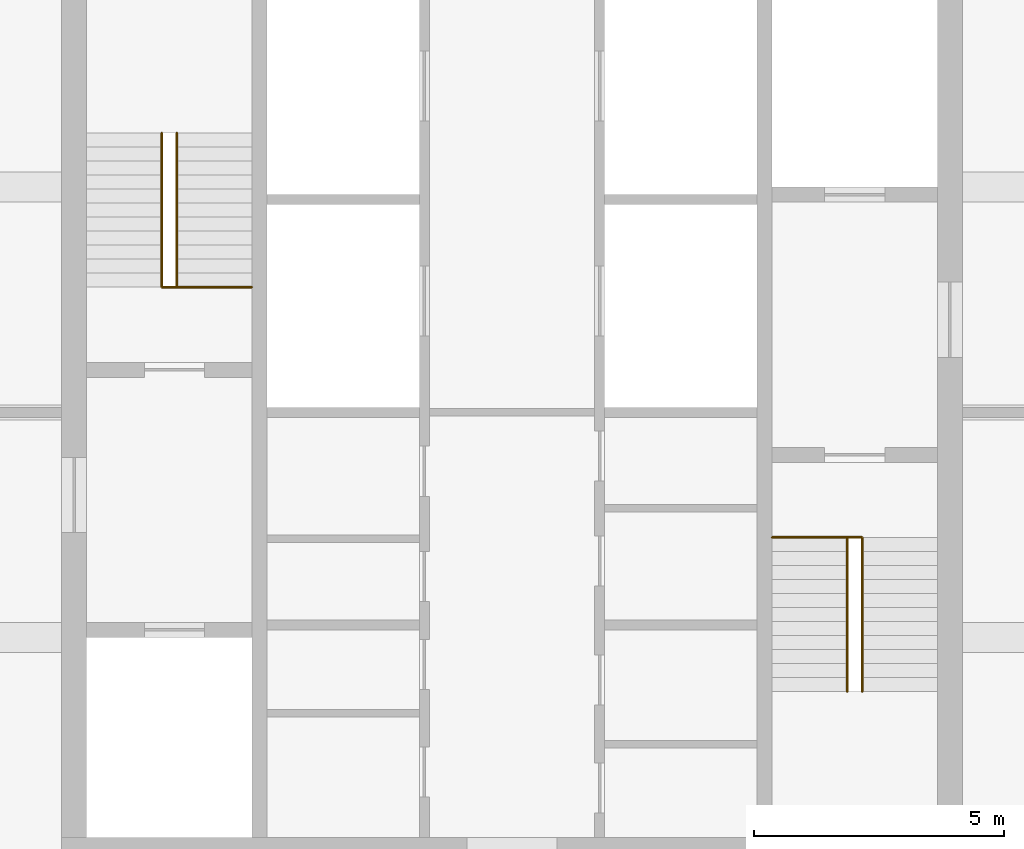
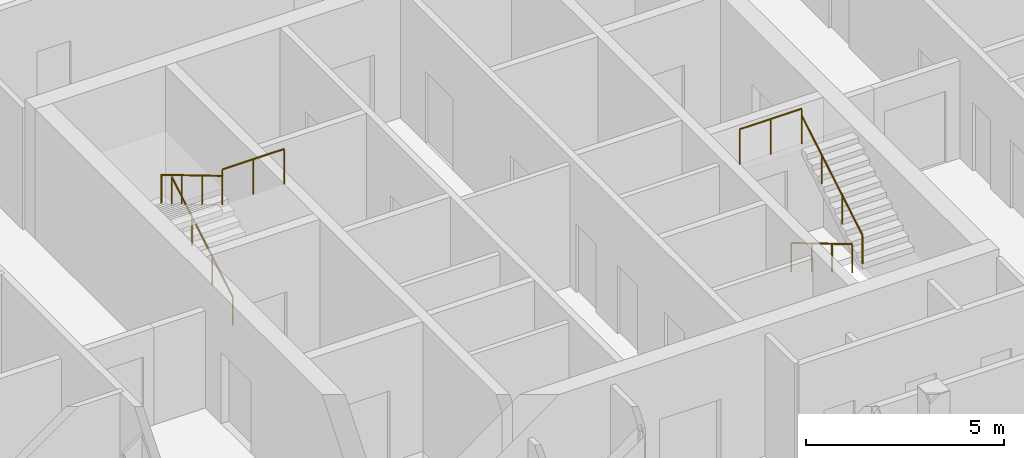
# One storey, part 11 of 12: 6 railings.
"""IFC4 building model written with IfcOpenShell, lengths in metres."""

from ifc_helpers import new_model, si_unit, direction, frame, origin, origin_2d, place, context, subcontext, project, spatial, circle, extrude, material, type_object, element, save


model = new_model("IFC4")

# Units and contexts
model_context = context("Model", 3, precision=1e-05, world=origin(), true_north=direction((0.0, 1.0)))
body_context = subcontext(model_context, "Body", "Model", "MODEL_VIEW")
ifc_project = project(units=[si_unit("LENGTHUNIT", "METRE"), si_unit("AREAUNIT", "SQUARE_METRE"), si_unit("VOLUMEUNIT", "CUBIC_METRE"), si_unit("PLANEANGLEUNIT", "RADIAN"), si_unit("MASSUNIT", "GRAM", prefix="KILO")], contexts=[model_context])

# Site, building, storey
site_placement = place(None, origin())
site = spatial("IfcSite", under=ifc_project, at=site_placement, CompositionType="ELEMENT")
building_placement = place(site_placement, origin())
building = spatial("IfcBuilding", under=site, at=building_placement, Name="Malebo Sky Hospital", CompositionType="ELEMENT")
storey_placement = place(building_placement, frame((0.0, 0.0, 286.0)))
storey = spatial("IfcBuildingStorey", under=building, at=storey_placement, Name="L69", CompositionType="ELEMENT", Elevation=286.0)

# Railings
ifc_material_1 = material(Name="Stainless steel balustrade", Category="steel")
railing_type_1 = type_object("IfcRailingType", Name="STAIR GUARD 1100", PredefinedType="GUARDRAIL", material=ifc_material_1)
railing_1_placement = place(storey_placement, frame((54.800048828125, 64.5, 4.0)))
element("IfcRailing", 1, at=railing_1_placement, inside=storey, type_object=railing_type_1, Name="Stair guard S1 top landing", PredefinedType="GUARDRAIL", context=body_context, shape_type="SweptSolid", body=[
    extrude(circle(Radius=0.02392578125, at=origin_2d()), frame((0.0, 0.0, 1.076171875), z_axis=(-1.0, 0.0, 0.0), x_axis=(0.0, -1.0, 0.0)), (0.0, 0.0, 1.0), 1.800048828125),
    extrude(circle(Radius=0.02099609375, at=origin_2d()), origin(), (0.0, 0.0, 1.0), 1.052001953125),
    extrude(circle(Radius=0.02099609375, at=origin_2d()), frame((-0.89990234375, 0.0, 0.0)), (0.0, 0.0, 1.0), 1.052001953125),
    extrude(circle(Radius=0.02099609375, at=origin_2d()), frame((-1.800048828125, 0.0, 0.0)), (0.0, 0.0, 1.0), 1.052001953125),
])
railing_2_placement = place(storey_placement, frame((65.199951171875, 59.5, 4.0)))
element("IfcRailing", 2, at=railing_2_placement, inside=storey, type_object=railing_type_1, Name="Stair guard S2 top landing", PredefinedType="GUARDRAIL", context=body_context, shape_type="SweptSolid", body=[
    extrude(circle(Radius=0.02392578125, at=origin_2d()), frame((0.0, 0.0, 1.076171875), z_axis=(1.0, 0.0, 0.0), x_axis=(0.0, 1.0, 0.0)), (0.0, 0.0, 1.0), 1.800048828125),
    extrude(circle(Radius=0.02099609375, at=origin_2d()), origin(), (0.0, 0.0, 1.0), 1.052001953125),
    extrude(circle(Radius=0.02099609375, at=origin_2d()), frame((0.89990234375, 0.0, 0.0)), (0.0, 0.0, 1.0), 1.052001953125),
    extrude(circle(Radius=0.02099609375, at=origin_2d()), frame((1.800048828125, 0.0, 0.0)), (0.0, 0.0, 1.0), 1.052001953125),
])
ifc_material_2 = material(Name="Stainless steel tube", Category="steel")
railing_type_2 = type_object("IfcRailingType", Name="STAIR HANDRAIL 900", PredefinedType="HANDRAIL", material=ifc_material_2)
railing_3_placement = place(storey_placement, frame((53.300048828125, 64.5, 0.166748046875)))
element("IfcRailing", 3, at=railing_3_placement, inside=storey, type_object=railing_type_2, Name="Stair handrail S1 flight 1", PredefinedType="HANDRAIL", context=body_context, shape_type="SweptSolid", body=[
    extrude(circle(Radius=0.02392578125, at=origin_2d()), frame((0.0, 0.0, 0.8759765625), z_axis=(0.0, 0.859308565015, 0.511457515432), x_axis=(-1.0, 0.0, 0.0)), (0.0, 0.0, 1.0), 3.58447265625),
    extrude(circle(Radius=0.02099609375, at=origin_2d()), origin(), (0.0, 0.0, 1.0), 0.851806640625),
    extrude(circle(Radius=0.02099609375, at=origin_2d()), frame((0.0, 1.026611328125, 0.611083984375)), (0.0, 0.0, 1.0), 0.851806640625),
    extrude(circle(Radius=0.02099609375, at=origin_2d()), frame((0.0, 2.053466796875, 1.22216796875)), (0.0, 0.0, 1.0), 0.851806640625),
    extrude(circle(Radius=0.02099609375, at=origin_2d()), frame((0.0, 3.080078125, 1.833251953125)), (0.0, 0.0, 1.0), 0.851806640625),
])
for number, where, name in (
    (4, (53.0, 67.580078125, 2.166748046875), "Stair handrail S1 flight 2"),
    (5, (66.699951171875, 59.5, 0.166748046875), "Stair handrail S2 flight 1"),
):
    element("IfcRailing", number, at=place(storey_placement, frame(where)), inside=storey, type_object=railing_type_2, Name=name, PredefinedType="HANDRAIL", context=body_context, shape_type="SweptSolid", body=[
        extrude(circle(Radius=0.02392578125, at=origin_2d()), frame((0.0, 0.0, 0.8759765625), z_axis=(0.0, -0.859308565015, 0.511457515432), x_axis=(1.0, 0.0, 0.0)), (0.0, 0.0, 1.0), 3.58447265625),
        extrude(circle(Radius=0.02099609375, at=origin_2d()), origin(), (0.0, 0.0, 1.0), 0.851806640625),
        extrude(circle(Radius=0.02099609375, at=origin_2d()), frame((0.0, -1.026611328125, 0.611083984375)), (0.0, 0.0, 1.0), 0.851806640625),
        extrude(circle(Radius=0.02099609375, at=origin_2d()), frame((0.0, -2.053466796875, 1.22216796875)), (0.0, 0.0, 1.0), 0.851806640625),
        extrude(circle(Radius=0.02099609375, at=origin_2d()), frame((0.0, -3.080078125, 1.833251953125)), (0.0, 0.0, 1.0), 0.851806640625),
    ])
railing_4_placement = place(storey_placement, frame((67.0, 56.419921875, 2.166748046875)))
element("IfcRailing", 6, at=railing_4_placement, inside=storey, type_object=railing_type_2, Name="Stair handrail S2 flight 2", PredefinedType="HANDRAIL", context=body_context, shape_type="SweptSolid", body=[
    extrude(circle(Radius=0.02392578125, at=origin_2d()), frame((0.0, 0.0, 0.8759765625), z_axis=(0.0, 0.859308565015, 0.511457515432), x_axis=(-1.0, 0.0, 0.0)), (0.0, 0.0, 1.0), 3.58447265625),
    extrude(circle(Radius=0.02099609375, at=origin_2d()), origin(), (0.0, 0.0, 1.0), 0.851806640625),
    extrude(circle(Radius=0.02099609375, at=origin_2d()), frame((0.0, 1.026611328125, 0.611083984375)), (0.0, 0.0, 1.0), 0.851806640625),
    extrude(circle(Radius=0.02099609375, at=origin_2d()), frame((0.0, 2.053466796875, 1.22216796875)), (0.0, 0.0, 1.0), 0.851806640625),
    extrude(circle(Radius=0.02099609375, at=origin_2d()), frame((0.0, 3.080078125, 1.833251953125)), (0.0, 0.0, 1.0), 0.851806640625),
])

save(model, "model.ifc")
